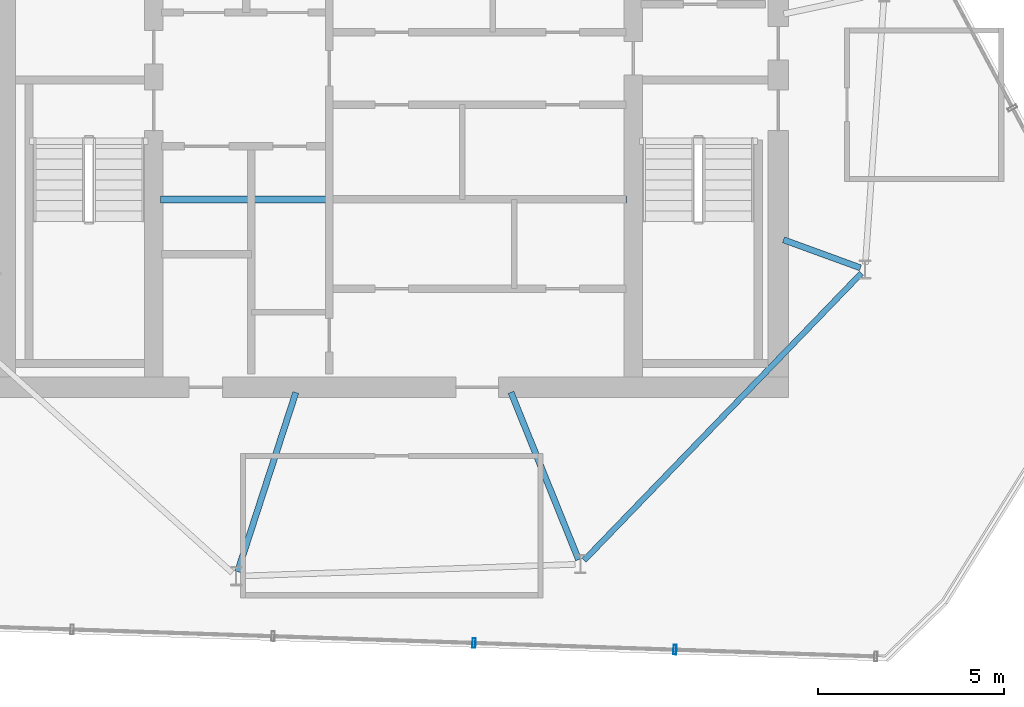
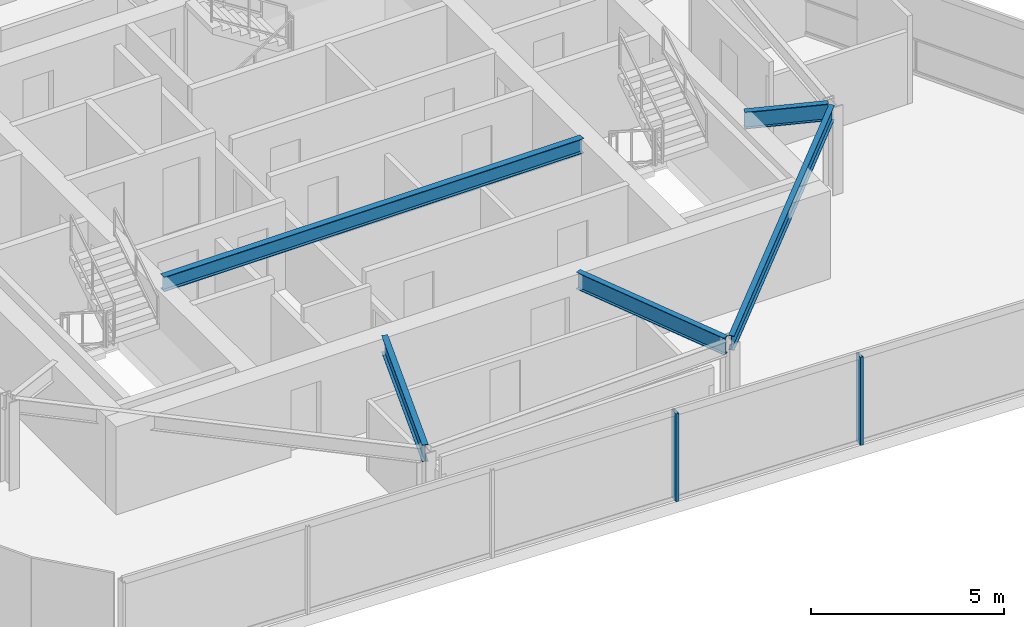
# One storey, part 4 of 16: 5 beams, 2 members, 1 element without a shape of its own.
"""IFC4 building model written with IfcOpenShell, lengths in metres."""

from ifc_helpers import new_model, si_unit, direction, frame, origin, origin_2d, place, context, subcontext, project, spatial, hollow_rectangle, i_section, extrude, material, layer, layer_set, material_profile, profile_set, type_object, element, aggregate, save


model = new_model("IFC4")

# Units and contexts
model_context = context("Model", 3, precision=1e-05, world=origin(), true_north=direction((0.0, 1.0)))
body_context = subcontext(model_context, "Body", "Model", "MODEL_VIEW")
ifc_project = project(units=[si_unit("LENGTHUNIT", "METRE"), si_unit("AREAUNIT", "SQUARE_METRE"), si_unit("VOLUMEUNIT", "CUBIC_METRE"), si_unit("PLANEANGLEUNIT", "RADIAN"), si_unit("MASSUNIT", "GRAM", prefix="KILO")], contexts=[model_context])

# Site, building, storey
site_placement = place(None, origin())
site = spatial("IfcSite", under=ifc_project, at=site_placement, CompositionType="ELEMENT")
building_placement = place(site_placement, origin())
building = spatial("IfcBuilding", under=site, at=building_placement, Name="Qarnah Convention Tower", CompositionType="ELEMENT")
storey_placement = place(building_placement, frame((0.0, 0.0, 286.699951171875)))
storey = spatial("IfcBuildingStorey", under=building, at=storey_placement, Name="L77", CompositionType="ELEMENT", Elevation=286.699951171875)

# Beams
ifc_material_1 = material(Name="Structural steel S355JR", Category="steel")
ifc_material_profile_1 = material_profile(ifc_material_1, i_section(OverallWidth=0.19189453125, OverallDepth=0.464111328125, WebThickness=0.010986328125, FlangeThickness=0.01806640625, at=origin_2d()), Name="W460X89")
ifc_profile_set_1 = profile_set([ifc_material_profile_1], Name="Structural steel S355JR")
beam_type_1 = type_object("IfcBeamType", Name="BM-CANT-W460A", PredefinedType="BEAM", material=ifc_profile_set_1)
beam_1_placement = place(storey_placement, frame((30.97998046875, 23.64990234375, 2.548095703125), z_axis=(1.0, 0.0, 0.0), x_axis=(0.0, 1.0, 0.0)))
element("IfcBeam", 1, at=beam_1_placement, inside=storey, type_object=beam_type_1, Name="L77 beam BM-L77-KC1", PredefinedType="BEAM", context=body_context, shape_type="SweptSolid", body=[
    extrude(i_section(OverallWidth=0.19189453125, OverallDepth=0.464111328125, WebThickness=0.010986328125, FlangeThickness=0.01806640625, at=origin_2d()), origin(), (0.0, 0.0, 1.0), 12.5400390625),
])
ifc_material_profile_2 = material_profile(ifc_material_1, i_section(OverallWidth=0.166015625, OverallDepth=0.535888671875, WebThickness=0.010009765625, FlangeThickness=0.01708984375, at=origin_2d()), Name="W530X85")
ifc_profile_set_2 = profile_set([ifc_material_profile_2], Name="Structural steel S355JR")
beam_type_2 = type_object("IfcBeamType", Name="BM-RAD-W530B", PredefinedType="BEAM", material=ifc_profile_set_2)
beam_2_placement = place(storey_placement, frame((34.6201171875, 18.45703125, 2.511962890625), z_axis=(-0.309196077222, -0.950998310109, 0.0), x_axis=(0.950998310109, -0.309196077222, 0.0)))
element("IfcBeam", 2, at=beam_2_placement, inside=storey, type_object=beam_type_2, Name="L77 beam BM-L77-RAD-07", PredefinedType="BEAM", context=body_context, shape_type="SweptSolid", body=[
    extrude(i_section(OverallWidth=0.166015625, OverallDepth=0.535888671875, WebThickness=0.010009765625, FlangeThickness=0.01708984375, at=origin_2d()), origin(), (0.0, 0.0, 1.0), 5.068359375),
])
beam_3_placement = place(storey_placement, frame((40.407958984375, 18.4609375, 2.511962890625), z_axis=(0.374569439496, -0.927198864859, 0.0), x_axis=(0.927198864859, 0.374569439496, 0.0)))
element("IfcBeam", 3, at=beam_3_placement, inside=storey, type_object=beam_type_2, Name="L77 beam BM-L77-RAD-08", PredefinedType="BEAM", context=body_context, shape_type="SweptSolid", body=[
    extrude(i_section(OverallWidth=0.166015625, OverallDepth=0.535888671875, WebThickness=0.010009765625, FlangeThickness=0.01708984375, at=origin_2d()), origin(), (0.0, 0.0, 1.0), 4.8564453125),
])
beam_4_placement = place(storey_placement, frame((47.740966796875, 22.56396484375, 2.511962890625), z_axis=(0.939625060503, -0.342205706667, 0.0), x_axis=(0.342205706667, 0.939625060503, 0.0)))
element("IfcBeam", 4, at=beam_4_placement, inside=storey, type_object=beam_type_2, Name="L77 beam BM-L77-RAD-09", PredefinedType="BEAM", context=body_context, shape_type="SweptSolid", body=[
    extrude(i_section(OverallWidth=0.166015625, OverallDepth=0.535888671875, WebThickness=0.010009765625, FlangeThickness=0.01708984375, at=origin_2d()), origin(), (0.0, 0.0, 1.0), 2.203125),
])
ifc_material_profile_3 = material_profile(ifc_material_1, i_section(OverallWidth=0.154052734375, OverallDepth=0.4599609375, WebThickness=0.009033203125, FlangeThickness=0.014892578125, at=origin_2d()), Name="W460X68")
ifc_profile_set_3 = profile_set([ifc_material_profile_3], Name="Structural steel S355JR")
beam_type_3 = type_object("IfcBeamType", Name="BM-SPN-W460B", PredefinedType="SPANDREL", material=ifc_profile_set_3)
beam_5_placement = place(storey_placement, frame((42.373046875, 13.93798828125, 2.550048828125), z_axis=(0.694704823646, 0.719294938118, 0.0), x_axis=(-0.719294938118, 0.694704823646, 0.0)))
element("IfcBeam", 5, at=beam_5_placement, inside=storey, type_object=beam_type_3, Name="L77 spandrel BM-L77-SPN-08", PredefinedType="SPANDREL", context=body_context, shape_type="SweptSolid", body=[
    extrude(i_section(OverallWidth=0.154052734375, OverallDepth=0.4599609375, WebThickness=0.009033203125, FlangeThickness=0.014892578125, at=origin_2d()), origin(), (0.0, 0.0, 1.0), 10.742431640625),
])

# Curtain wall, members
ifc_material_2 = material(Name="Tempered Low-E dark glass", Category="glass")
ifc_layer = layer(ifc_material_2, 0.177978515625)
ifc_layer_set = layer_set([ifc_layer], Name="Tempered Low-E dark glass")
curtain_wall_type = type_object("IfcCurtainWallType", Name="CWS-06", PredefinedType="NOTDEFINED", material=ifc_layer_set)
curtain_wall_placement = place(storey_placement, origin())
curtain_wall = element("IfcCurtainWall", 6, at=curtain_wall_placement, inside=storey, type_object=curtain_wall_type, Name="L77 unitised curtain wall CW-L77-F2", PredefinedType="NOTDEFINED")
ifc_material_3 = material(Name="Black anodised aluminium", Category="aluminium")
ifc_material_profile_4 = material_profile(ifc_material_3, hollow_rectangle(XDim=0.0849609375, YDim=0.260009765625, WallThickness=0.006103515625, at=origin_2d()), Name="MUL-85X260")
ifc_profile_set_4 = profile_set([ifc_material_profile_4], Name="Black anodised aluminium")
member_type = type_object("IfcMemberType", Name="MUL-T6", PredefinedType="MULLION", material=ifc_profile_set_4)
member_1_placement = place(storey_placement, frame((44.8212890625, 11.5361328125, 0.0), z_axis=(0.0, 0.0, 1.0), x_axis=(-0.999438900358, 0.033494543595, 0.0)))
member_1 = element("IfcMember", 7, at=member_1_placement, type_object=member_type, Name="CW-L77-F2 mullion 2", PredefinedType="MULLION", context=body_context, shape_type="SweptSolid", body=[
    extrude(hollow_rectangle(XDim=0.0849609375, YDim=0.260009765625, WallThickness=0.006103515625, at=origin_2d()), origin(), (0.0, 0.0, 1.0), 2.780029296875),
])
member_2_placement = place(storey_placement, frame((39.414306640625, 11.71728515625, 0.0), z_axis=(0.0, 0.0, 1.0), x_axis=(-0.999438900358, 0.033494543595, 0.0)))
member_2 = element("IfcMember", 8, at=member_2_placement, type_object=member_type, Name="CW-L77-F2 mullion 3", PredefinedType="MULLION", context=body_context, shape_type="SweptSolid", body=[
    extrude(hollow_rectangle(XDim=0.0849609375, YDim=0.260009765625, WallThickness=0.006103515625, at=origin_2d()), origin(), (0.0, 0.0, 1.0), 2.780029296875),
])
aggregate(curtain_wall, [member_1, member_2])

save(model, "model.ifc")
